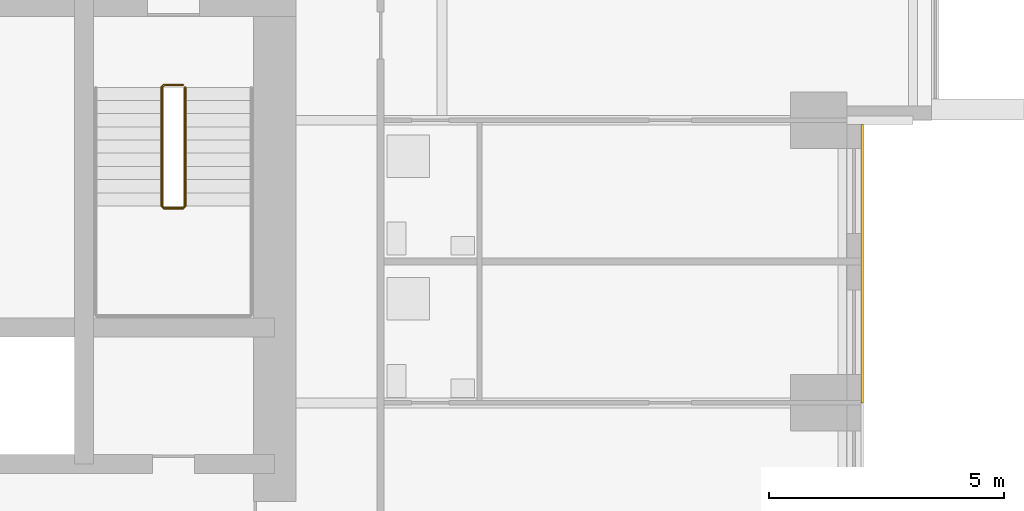
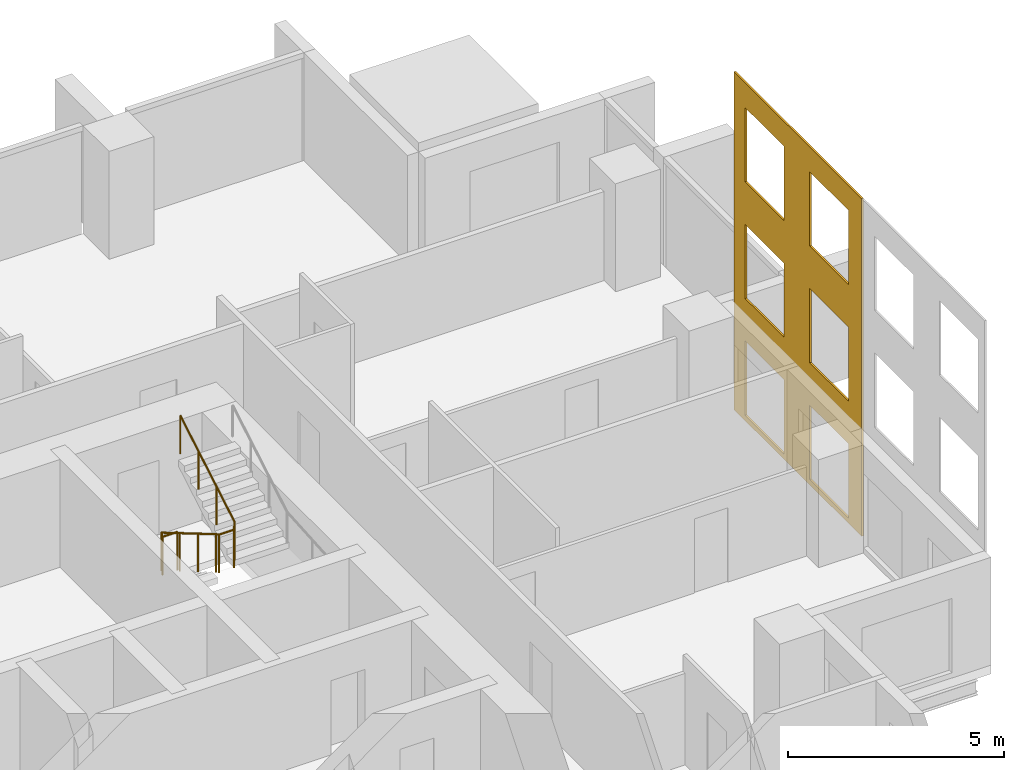
# One storey, part 10 of 11: 1 covering, 1 railing.
"""IFC4 building model written with IfcOpenShell, lengths in metres."""

from ifc_helpers import new_model, si_unit, direction, frame, origin, origin_2d, place, context, subcontext, project, spatial, polyline, circle, outline, extrude, material, layer, layer_set, type_object, element, save


model = new_model("IFC4")

# Units and contexts
model_context = context("Model", 3, precision=1e-05, world=origin(), true_north=direction((0.0, 1.0)))
body_context = subcontext(model_context, "Body", "Model", "MODEL_VIEW")
ifc_project = project(units=[si_unit("LENGTHUNIT", "METRE"), si_unit("AREAUNIT", "SQUARE_METRE"), si_unit("VOLUMEUNIT", "CUBIC_METRE"), si_unit("PLANEANGLEUNIT", "RADIAN"), si_unit("MASSUNIT", "GRAM", prefix="KILO")], contexts=[model_context])

# Site, building, storey
site_placement = place(None, origin())
site = spatial("IfcSite", under=ifc_project, at=site_placement, CompositionType="ELEMENT")
building_placement = place(site_placement, origin())
building = spatial("IfcBuilding", under=site, at=building_placement, Name="Amberfall Residences", CompositionType="ELEMENT")
storey_placement = place(building_placement, frame((0.0, 0.0, 59.800048828125)))
storey = spatial("IfcBuildingStorey", under=building, at=storey_placement, Name="L16", CompositionType="ELEMENT", Elevation=59.800048828125)

# Covering
ifc_material_1 = material(Name="Pale limestone cladding", Category="masonry")
ifc_layer = layer(ifc_material_1, 0.050048828125)
ifc_layer_set = layer_set([ifc_layer], Name="Limestone fascia 50")
covering_type = type_object("IfcCoveringType", Name="Limestone fascia 50", PredefinedType="CLADDING", material=ifc_layer_set)
covering_placement = place(storey_placement, frame((98.5, 48.39990234375, 9.550048828125), z_axis=(-1.0, 0.0, 0.0), x_axis=(0.0, 1.0, 0.0)))
element("IfcCovering", 1, at=covering_placement, inside=storey, type_object=covering_type, Name="Pale limestone cladding L16-L18 E", PredefinedType="CLADDING", context=body_context, shape_type="SweptSolid", body=[
    extrude(outline(polyline([(0.0, 0.0), (5.91015625, 0.0), (5.91015625, 9.550048828125), (0.0, 9.550048828125), (0.0, 0.0)]), holes=[polyline([(0.60009765625, 7.300048828125), (2.400146484375, 7.300048828125), (2.400146484375, 9.400146484375), (0.60009765625, 9.400146484375), (0.60009765625, 7.300048828125)]), polyline([(3.60009765625, 7.300048828125), (5.400146484375, 7.300048828125), (5.400146484375, 9.400146484375), (3.60009765625, 9.400146484375), (3.60009765625, 7.300048828125)]), polyline([(0.60009765625, 4.0), (2.400146484375, 4.0), (2.400146484375, 6.10009765625), (0.60009765625, 6.10009765625), (0.60009765625, 4.0)]), polyline([(3.60009765625, 4.0), (5.400146484375, 4.0), (5.400146484375, 6.10009765625), (3.60009765625, 6.10009765625), (3.60009765625, 4.0)]), polyline([(0.60009765625, 0.7001953125), (2.400146484375, 0.7001953125), (2.400146484375, 2.800048828125), (0.60009765625, 2.800048828125), (0.60009765625, 0.7001953125)]), polyline([(3.60009765625, 0.7001953125), (5.400146484375, 0.7001953125), (5.400146484375, 2.800048828125), (3.60009765625, 2.800048828125), (3.60009765625, 0.7001953125)])]), origin(), (0.0, 0.0, -1.0), 0.050048828125),
])

# Railing
ifc_material_2 = material(Name="Stainless steel 316", Category="steel")
railing_type = type_object("IfcRailingType", Name="Stair guard 1100", PredefinedType="GUARDRAIL", material=ifc_material_2)
railing_placement = place(storey_placement, frame((84.10009765625, 55.14990234375, 0.0)))
element("IfcRailing", 2, at=railing_placement, inside=storey, type_object=railing_type, Name="L16 stair 3 guard", PredefinedType="GUARDRAIL", context=body_context, shape_type="SweptSolid", body=[
    extrude(circle(Radius=0.02392578125, at=origin_2d()), frame((0.0, 0.0, 1.076171875), z_axis=(-1.0, 0.0, 0.0), x_axis=(0.0, -1.0, 0.0)), (0.0, 0.0, 1.0), 0.400146484375),
    extrude(circle(Radius=0.02392578125, at=origin_2d()), frame((-0.400146484375, 0.0, 1.076171875), z_axis=(-0.278810427259, -0.277450376394, 0.919394384522), x_axis=(0.705375805398, -0.708833529934, 0.0)), (0.0, 0.0, 1.0), 0.179443359375),
    extrude(circle(Radius=0.02392578125, at=origin_2d()), frame((-0.4501953125, -0.0498046875, 1.2412109375), z_axis=(0.0, -0.861560626758, 0.507654692109), x_axis=(1.0, 0.0, 0.0)), (0.0, 0.0, 1.0), 2.925048828125),
    extrude(circle(Radius=0.02392578125, at=origin_2d()), frame((-0.4501953125, -2.56982421875, 2.72607421875), z_axis=(0.707106781187, -0.707106781187, 0.0), x_axis=(0.707106781187, 0.707106781187, 0.0)), (0.0, 0.0, 1.0), 0.07080078125),
    extrude(circle(Radius=0.02392578125, at=origin_2d()), frame((-0.400146484375, -2.619873046875, 2.72607421875), z_axis=(1.0, 0.0, 0.0), x_axis=(0.0, 1.0, 0.0)), (0.0, 0.0, 1.0), 0.400146484375),
    extrude(circle(Radius=0.02392578125, at=origin_2d()), frame((0.0, -2.619873046875, 2.72607421875), z_axis=(0.277450376394, 0.278810427259, 0.919394384522), x_axis=(-0.708833529934, 0.705375805398, 0.0)), (0.0, 0.0, 1.0), 0.179443359375),
    extrude(circle(Radius=0.02392578125, at=origin_2d()), frame((0.0498046875, -2.56982421875, 2.89111328125), z_axis=(0.0, 0.86152411907, 0.507716645641), x_axis=(-1.0, 0.0, 0.0)), (0.0, 0.0, 1.0), 2.925048828125),
    extrude(circle(Radius=0.02099609375, at=origin_2d()), origin(), (0.0, 0.0, 1.0), 1.052001953125),
    extrude(circle(Radius=0.02099609375, at=origin_2d()), frame((-0.400146484375, 0.0, 0.0)), (0.0, 0.0, 1.0), 1.052001953125),
    extrude(circle(Radius=0.02099609375, at=origin_2d()), frame((-0.4501953125, -0.0498046875, 0.1650390625)), (0.0, 0.0, 1.0), 1.052001953125),
    extrude(circle(Radius=0.02099609375, at=origin_2d()), frame((-0.4501953125, -0.889892578125, 0.659912109375)), (0.0, 0.0, 1.0), 1.052001953125),
    extrude(circle(Radius=0.02099609375, at=origin_2d()), frame((-0.4501953125, -1.729736328125, 1.155029296875)), (0.0, 0.0, 1.0), 1.052001953125),
    extrude(circle(Radius=0.02099609375, at=origin_2d()), frame((-0.4501953125, -2.56982421875, 1.64990234375)), (0.0, 0.0, 1.0), 1.052001953125),
    extrude(circle(Radius=0.02099609375, at=origin_2d()), frame((-0.400146484375, -2.619873046875, 1.64990234375)), (0.0, 0.0, 1.0), 1.052001953125),
    extrude(circle(Radius=0.02099609375, at=origin_2d()), frame((0.0, -2.619873046875, 1.64990234375)), (0.0, 0.0, 1.0), 1.052001953125),
    extrude(circle(Radius=0.02099609375, at=origin_2d()), frame((0.0498046875, -2.56982421875, 1.81494140625)), (0.0, 0.0, 1.0), 1.052001953125),
    extrude(circle(Radius=0.02099609375, at=origin_2d()), frame((0.0498046875, -1.729736328125, 2.31005859375)), (0.0, 0.0, 1.0), 1.052001953125),
    extrude(circle(Radius=0.02099609375, at=origin_2d()), frame((0.0498046875, -0.889892578125, 2.804931640625)), (0.0, 0.0, 1.0), 1.052001953125),
    extrude(circle(Radius=0.02099609375, at=origin_2d()), frame((0.0498046875, -0.0498046875, 3.300048828125)), (0.0, 0.0, 1.0), 1.052001953125),
])

save(model, "model.ifc")
